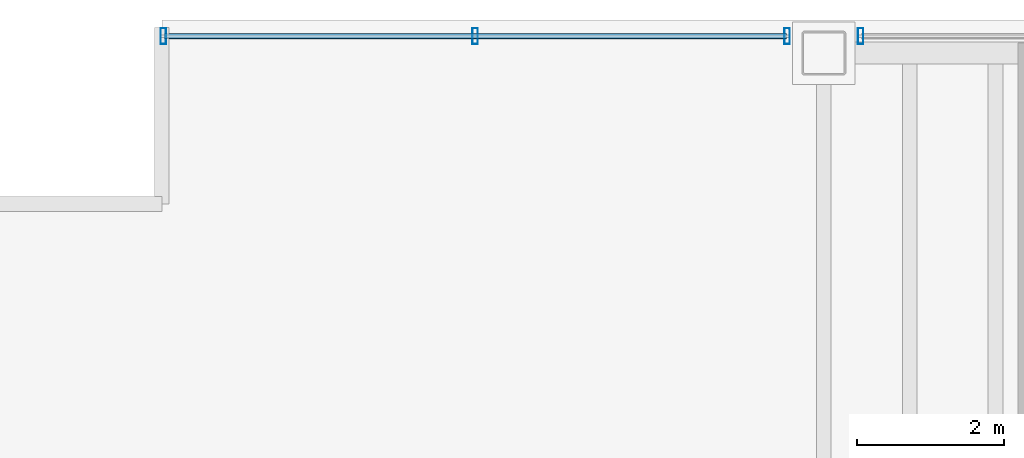
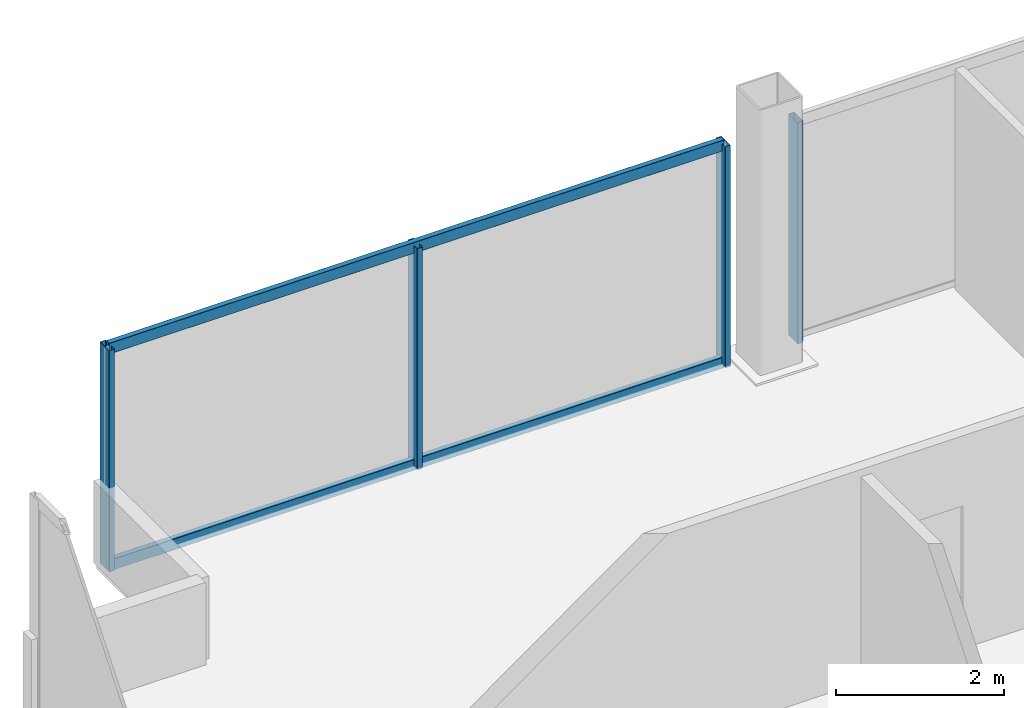
# One storey, part 14 of 21: 6 members, 2 elements without a shape of their own.
"""IFC4 building model written with IfcOpenShell, lengths in metres."""

from ifc_helpers import new_model, si_unit, direction, frame, origin, origin_2d, place, context, subcontext, project, spatial, hollow_rectangle, extrude, material, material_profile, profile_set, type_object, element, aggregate, save


model = new_model("IFC4")

# Units and contexts
model_context = context("Model", 3, precision=1e-05, world=origin(), true_north=direction((0.0, 1.0)))
body_context = subcontext(model_context, "Body", "Model", "MODEL_VIEW")
ifc_project = project(units=[si_unit("LENGTHUNIT", "METRE"), si_unit("AREAUNIT", "SQUARE_METRE"), si_unit("VOLUMEUNIT", "CUBIC_METRE"), si_unit("PLANEANGLEUNIT", "RADIAN"), si_unit("MASSUNIT", "GRAM", prefix="KILO")], contexts=[model_context])

# Site, building, storey
site_placement = place(None, origin())
site = spatial("IfcSite", under=ifc_project, at=site_placement, CompositionType="ELEMENT")
building_placement = place(site_placement, origin())
building = spatial("IfcBuilding", under=site, at=building_placement, Name="Noeulbin Bourse Tower", CompositionType="ELEMENT")
storey_placement = place(building_placement, frame((0.0, 0.0, 46.0)))
storey = spatial("IfcBuildingStorey", under=building, at=storey_placement, Name="L11", CompositionType="ELEMENT", Elevation=46.0)

# Curtain wall, members
ifc_material_1 = material(Name="Dark Solar-Control Double Glazing", Category="glass")
curtain_wall_type = type_object("IfcCurtainWallType", Name="CW-SYS-2", PredefinedType="NOTDEFINED", material=ifc_material_1)
curtain_wall_1_placement = place(storey_placement, origin())
curtain_wall_1 = element("IfcCurtainWall", 1, at=curtain_wall_1_placement, inside=storey, type_object=curtain_wall_type, Name="Unitised Curtain Wall CW-L11-N-S1", PredefinedType="NOTDEFINED")
ifc_material_2 = material(Name="Anodised Aluminium 6063-T6", Category="aluminium")
ifc_material_profile_1 = material_profile(ifc_material_2, hollow_rectangle(XDim=0.074951171875, YDim=0.219970703125, WallThickness=0.0048828125, InnerFilletRadius=0.00244140625, OuterFilletRadius=0.0048828125, at=origin_2d()), Name="ALU-MULL-75x220x5", Category="LoadBearing")
ifc_profile_set_1 = profile_set([ifc_material_profile_1], Name="Anodised Aluminium 6063-T6")
member_type_1 = type_object("IfcMemberType", Name="CW-SYS-2-MUL", PredefinedType="MULLION", material=ifc_profile_set_1)
member_1_placement = place(storey_placement, frame((4.52001953125, 46.780029296875, -0.02001953125), z_axis=(0.0, 0.0, 1.0), x_axis=(1.0, 0.0, 0.0)))
member_1 = element("IfcMember", 2, at=member_1_placement, type_object=member_type_1, Name="Curtain Wall Mullion CW-L11-N-S1-M00", PredefinedType="MULLION", context=body_context, shape_type="SweptSolid", body=[
    extrude(hollow_rectangle(XDim=0.074951171875, YDim=0.219970703125, WallThickness=0.0048828125, InnerFilletRadius=0.00244140625, OuterFilletRadius=0.0048828125, at=origin_2d()), origin(), (0.0, 0.0, 1.0), 3.219970703125),
])
member_2_placement = place(storey_placement, frame((8.760009765625, 46.780029296875, -0.02001953125), z_axis=(0.0, 0.0, 1.0), x_axis=(1.0, 0.0, 0.0)))
member_2 = element("IfcMember", 3, at=member_2_placement, type_object=member_type_1, Name="Curtain Wall Mullion CW-L11-N-S1-M01", PredefinedType="MULLION", context=body_context, shape_type="SweptSolid", body=[
    extrude(hollow_rectangle(XDim=0.074951171875, YDim=0.219970703125, WallThickness=0.0048828125, InnerFilletRadius=0.00244140625, OuterFilletRadius=0.0048828125, at=origin_2d()), origin(), (0.0, 0.0, 1.0), 3.219970703125),
])
member_3_placement = place(storey_placement, frame((13.0, 46.780029296875, -0.02001953125), z_axis=(0.0, 0.0, 1.0), x_axis=(1.0, 0.0, 0.0)))
member_3 = element("IfcMember", 4, at=member_3_placement, type_object=member_type_1, Name="Curtain Wall Mullion CW-L11-N-S1-M02", PredefinedType="MULLION", context=body_context, shape_type="SweptSolid", body=[
    extrude(hollow_rectangle(XDim=0.074951171875, YDim=0.219970703125, WallThickness=0.0048828125, InnerFilletRadius=0.00244140625, OuterFilletRadius=0.0048828125, at=origin_2d()), origin(), (0.0, 0.0, 1.0), 3.219970703125),
])

# Curtain wall, member
curtain_wall_2_placement = place(storey_placement, origin())
curtain_wall_2 = element("IfcCurtainWall", 5, at=curtain_wall_2_placement, inside=storey, type_object=curtain_wall_type, Name="Unitised Curtain Wall CW-L11-N-S2", PredefinedType="NOTDEFINED")
member_4_placement = place(storey_placement, frame((14.0, 46.780029296875, -0.02001953125), z_axis=(0.0, 0.0, 1.0), x_axis=(1.0, 0.0, 0.0)))
member_4 = element("IfcMember", 6, at=member_4_placement, type_object=member_type_1, Name="Curtain Wall Mullion CW-L11-N-S2-M00", PredefinedType="MULLION", context=body_context, shape_type="SweptSolid", body=[
    extrude(hollow_rectangle(XDim=0.074951171875, YDim=0.219970703125, WallThickness=0.0048828125, InnerFilletRadius=0.00244140625, OuterFilletRadius=0.0048828125, at=origin_2d()), origin(), (0.0, 0.0, 1.0), 3.219970703125),
])
aggregate(curtain_wall_2, [member_4])

# Member
ifc_material_profile_2 = material_profile(ifc_material_2, hollow_rectangle(XDim=0.074951171875, YDim=0.159912109375, WallThickness=0.0048828125, InnerFilletRadius=0.00244140625, OuterFilletRadius=0.0048828125, at=origin_2d()), Name="ALU-TRAN-75x160x5", Category="LoadBearing")
ifc_profile_set_2 = profile_set([ifc_material_profile_2], Name="Anodised Aluminium 6063-T6")
member_type_2 = type_object("IfcMemberType", Name="CW-SYS-2-TRN", PredefinedType="USERDEFINED", material=ifc_profile_set_2)
member_5_placement = place(storey_placement, frame((4.530029296875, 46.780029296875, 0.010009765625), z_axis=(1.0, 0.0, 0.0), x_axis=(0.0, 1.0, 0.0)))
member_5 = element("IfcMember", 7, at=member_5_placement, type_object=member_type_2, Name="Curtain Wall Transom CW-L11-N-S1-T00", ObjectType="TRANSOM", PredefinedType="USERDEFINED", context=body_context, shape_type="SweptSolid", body=[
    extrude(hollow_rectangle(XDim=0.074951171875, YDim=0.159912109375, WallThickness=0.0048828125, InnerFilletRadius=0.00244140625, OuterFilletRadius=0.0048828125, at=origin_2d()), origin(), (0.0, 0.0, 1.0), 8.4599609375),
])

member_6_placement = place(storey_placement, frame((4.530029296875, 46.780029296875, 3.169921875), z_axis=(1.0, 0.0, 0.0), x_axis=(0.0, 1.0, 0.0)))
member_6 = element("IfcMember", 8, at=member_6_placement, type_object=member_type_2, Name="Curtain Wall Transom CW-L11-N-S1-T01", ObjectType="TRANSOM", PredefinedType="USERDEFINED", context=body_context, shape_type="SweptSolid", body=[
    extrude(hollow_rectangle(XDim=0.074951171875, YDim=0.159912109375, WallThickness=0.0048828125, InnerFilletRadius=0.00244140625, OuterFilletRadius=0.0048828125, at=origin_2d()), origin(), (0.0, 0.0, 1.0), 8.4599609375),
])

aggregate(curtain_wall_1, [member_1, member_2, member_3, member_5, member_6])

save(model, "model.ifc")
